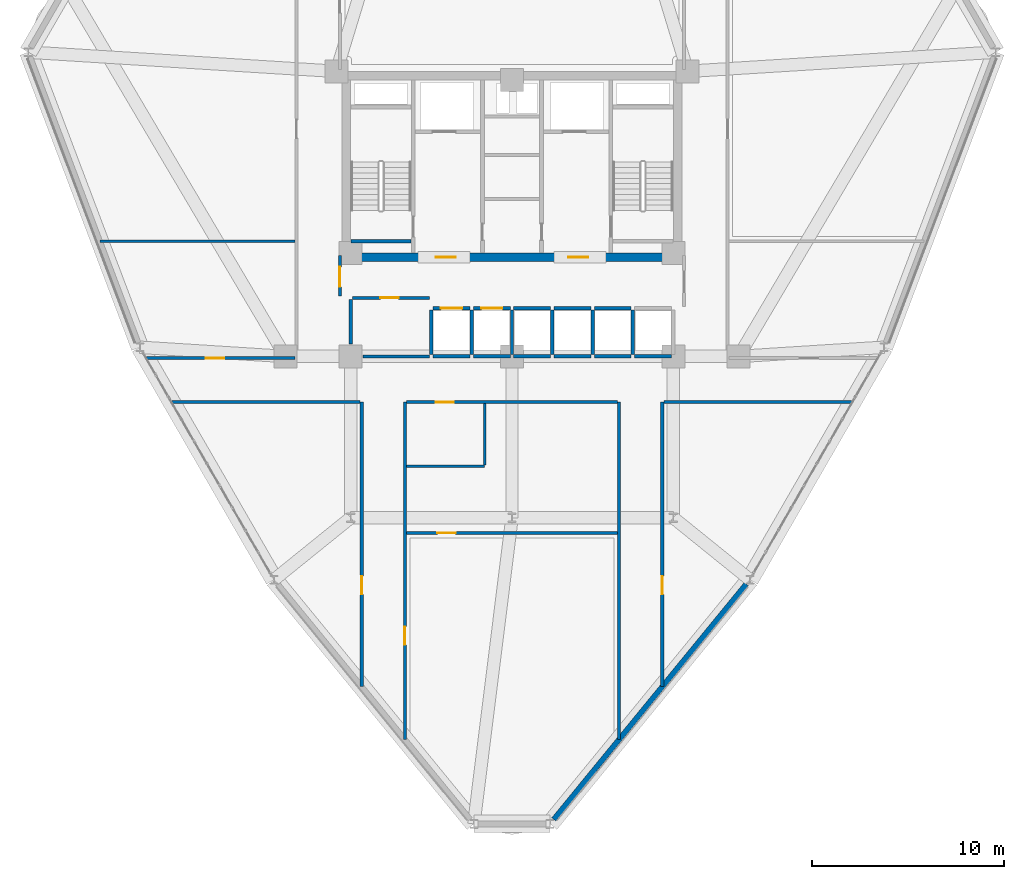
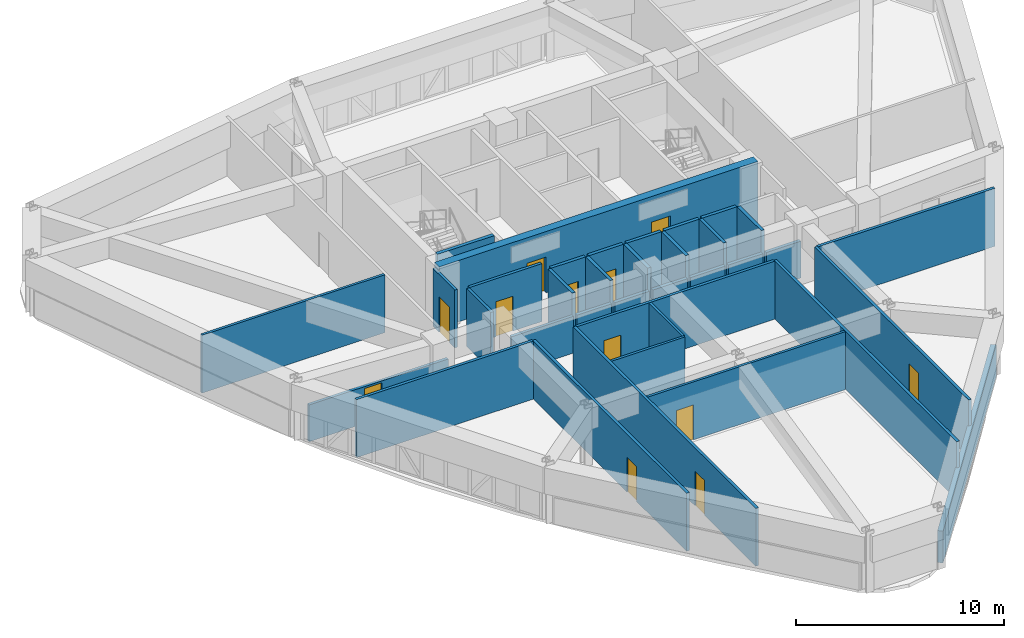
# One storey, part 10 of 15: 36 walls, 12 doors, 12 openings.
"""IFC4 building model written with IfcOpenShell, lengths in metres."""

from ifc_helpers import new_model, si_unit, derived_unit, direction, frame, frame_2d, origin, place, context, subcontext, project, spatial, rectangle, extrude, material, layer, layer_set, type_object, element, fill, save


model = new_model("IFC4")

# Units and contexts
model_context = context("Model", 3, precision=1e-05, world=origin(), true_north=direction((0.0, 1.0)))
body_context = subcontext(model_context, "Body", "Model", "MODEL_VIEW")
ifc_project = project(units=[si_unit("LENGTHUNIT", "METRE"), si_unit("AREAUNIT", "SQUARE_METRE"), si_unit("VOLUMEUNIT", "CUBIC_METRE"), si_unit("PLANEANGLEUNIT", "RADIAN"), si_unit("MASSUNIT", "GRAM", prefix="KILO"), derived_unit("THERMALTRANSMITTANCEUNIT", [(si_unit("POWERUNIT", "WATT"), 1), (si_unit("LENGTHUNIT", "METRE"), -2), (si_unit("THERMODYNAMICTEMPERATUREUNIT", "KELVIN"), -1)])], contexts=[model_context])

# Site, building, storey
site_placement = place(None, origin())
site = spatial("IfcSite", under=ifc_project, at=site_placement, CompositionType="ELEMENT")
building_placement = place(site_placement, origin())
building = spatial("IfcBuilding", under=site, at=building_placement, Name="Korsvarv Bourse and Concert Hall", CompositionType="ELEMENT")
storey_placement = place(building_placement, frame((0.0, 0.0, 113.39990234375)))
storey = spatial("IfcBuildingStorey", under=building, at=storey_placement, Name="L28", CompositionType="ELEMENT", Elevation=113.39990234375)

# Wall
ifc_material_1 = material(Name="Concrete C50/60", Category="concrete")
ifc_layer_1 = layer(ifc_material_1, 0.3798828125)
ifc_layer_set_1 = layer_set([ifc_layer_1], Name="Concrete C50/60")
wall_type_1 = type_object("IfcWallType", Name="WL-CORE-380", PredefinedType="SHEAR", material=ifc_layer_set_1)
wall_1_placement = place(storey_placement, frame((27.610107421875, 38.39990234375, 0.0), z_axis=(0.0, 0.0, 1.0), x_axis=(1.0, 0.0, 0.0)))
element("IfcWall", 1, at=wall_1_placement, inside=storey, type_object=wall_type_1, Name="L28 stair shaft structural wall W-L28-ST1-S", PredefinedType="SHEAR", context=body_context, shape_type="SweptSolid", body=[
    extrude(rectangle(XDim=3.139892578125, YDim=0.199951171875, at=frame_2d((1.56982421875, 0.0))), origin(), (0.0, 0.0, 1.0), 3.60009765625),
])

# Wall, openings, doors
ifc_material_2 = material(Name="Concrete C55/67", Category="concrete")
ifc_layer_2 = layer(ifc_material_2, 0.449951171875)
ifc_layer_set_2 = layer_set([ifc_layer_2], Name="Concrete C55/67")
wall_type_2 = type_object("IfcWallType", Name="WL-CORE-450", PredefinedType="SHEAR", material=ifc_layer_set_2)
wall_2_placement = place(storey_placement, frame((27.14990234375, 37.574951171875, 0.0), z_axis=(0.0, 0.0, 1.0), x_axis=(1.0, 0.0, 0.0)))
wall_2 = element("IfcWall", 2, at=wall_2_placement, inside=storey, type_object=wall_type_2, Name="L28 South Core Shear Wall", PredefinedType="SHEAR", context=body_context, shape_type="SweptSolid", body=[
    extrude(rectangle(XDim=17.7001953125, YDim=0.449951171875, at=frame_2d((8.85009765625, 0.0))), origin(), (0.0, 0.0, 1.0), 3.60009765625),
])
opening_1_placement = place(wall_2_placement, frame((4.875, 0.0, 0.0)))
opening_1 = element("IfcOpeningElement", 3, at=opening_1_placement, cuts=wall_2, Name="Opening D-01", PredefinedType="OPENING", context=body_context, shape_type="SweptSolid", body=[
    extrude(rectangle(XDim=1.050048828125, YDim=2.10009765625, at=frame_2d((0.52490234375, 1.050048828125))), frame((0.0, 0.23486328125, 0.0), z_axis=(0.0, -1.0, 0.0), x_axis=(1.0, 0.0, 0.0)), (0.0, 0.0, 1.0), 0.469970703125),
])
opening_2_placement = place(wall_2_placement, frame((11.77490234375, 0.0, 0.0)))
opening_2 = element("IfcOpeningElement", 4, at=opening_2_placement, cuts=wall_2, Name="Opening D-01", PredefinedType="OPENING", context=body_context, shape_type="SweptSolid", body=[
    extrude(rectangle(XDim=1.050048828125, YDim=2.10009765625, at=frame_2d((0.52490234375, 1.050048828125))), frame((0.0, 0.23486328125, 0.0), z_axis=(0.0, -1.0, 0.0), x_axis=(1.0, 0.0, 0.0)), (0.0, 0.0, 1.0), 0.469970703125),
])
ifc_material_3 = material(Name="Steel S355 fire door", Category="steel")
door_type_1 = type_object("IfcDoorType", Name="DR-FD60", OperationType="NOTDEFINED", PredefinedType="DOOR", material=ifc_material_3)
door_1_placement = place(opening_1_placement, frame((1.050048828125, 0.0, 0.0), z_axis=(0.0, 0.0, 1.0), x_axis=(-1.0, 0.0, 0.0)))
door_1 = element("IfcDoor", 5, at=door_1_placement, inside=storey, type_object=door_type_1, Name="L28 firefighting lobby fire door DR-L28-FFLW", OperationType="SINGLE_SWING_LEFT", OverallHeight=2.10009765625, OverallWidth=1.050048828125, PredefinedType="DOOR", context=body_context, shape_type="SweptSolid", body=[
    extrude(rectangle(XDim=1.050048828125, YDim=2.10009765625, at=frame_2d((0.52490234375, 1.050048828125))), frame((0.0, 0.02490234375, 0.0), z_axis=(0.0, -1.0, 0.0), x_axis=(1.0, 0.0, 0.0)), (0.0, 0.0, 1.0), 0.050048828125),
])
fill(opening_1, door_1)
door_2_placement = place(opening_2_placement, frame((1.050048828125, 0.0, 0.0), z_axis=(0.0, 0.0, 1.0), x_axis=(-1.0, 0.0, 0.0)))
door_2 = element("IfcDoor", 6, at=door_2_placement, inside=storey, type_object=door_type_1, Name="L28 firefighting lobby fire door DR-L28-FFLE", OperationType="SINGLE_SWING_RIGHT", OverallHeight=2.10009765625, OverallWidth=1.050048828125, PredefinedType="DOOR", context=body_context, shape_type="SweptSolid", body=[
    extrude(rectangle(XDim=1.050048828125, YDim=2.10009765625, at=frame_2d((0.52490234375, 1.050048828125))), frame((0.0, 0.02490234375, 0.0), z_axis=(0.0, -1.0, 0.0), x_axis=(1.0, 0.0, 0.0)), (0.0, 0.0, 1.0), 0.050048828125),
])
fill(opening_2, door_2)

# Walls
ifc_material_4 = material(Name="Precast concrete C45/55 with fluted terracotta pier", Category="concrete")
ifc_layer_3 = layer(ifc_material_4, 0.280029296875)
ifc_layer_set_3 = layer_set([ifc_layer_3], Name="Precast concrete C45/55 with fluted terracotta pier")
wall_type_3 = type_object("IfcWallType", Name="WL-EXT-TC2", PredefinedType="SOLIDWALL", material=ifc_layer_set_3)
wall_3_placement = place(storey_placement, frame((38.177490234375, 8.287353515625, 0.0), z_axis=(0.0, 0.0, 1.0), x_axis=(0.633140387555, 0.774036982092, 0.0)))
element("IfcWall", 7, at=wall_3_placement, inside=storey, type_object=wall_type_3, Name="L28 terracotta exterior wall EW-L28-B10", PredefinedType="SOLIDWALL", context=body_context, shape_type="SweptSolid", body=[
    extrude(rectangle(XDim=15.833984375, YDim=0.280029296875, at=frame_2d((7.9169921875, 0.0))), origin(), (0.0, 0.0, 1.0), 1.8701171875),
])
ifc_material_5 = material(Name="Double-stud fire-rated acoustic partition", Category="gypsum")
ifc_layer_4 = layer(ifc_material_5, 0.159912109375)
ifc_layer_set_4 = layer_set([ifc_layer_4], Name="Double-stud fire-rated acoustic partition")
wall_type_4 = type_object("IfcWallType", Name="WL-INT-EI60", PredefinedType="PARTITIONING", material=ifc_layer_set_4)
wall_4_placement = place(storey_placement, frame((28.25, 32.39990234375, 0.0), z_axis=(0.0, 0.0, 1.0), x_axis=(1.0, 0.0, 0.0)))
element("IfcWall", 8, at=wall_4_placement, inside=storey, type_object=wall_type_4, Name="L28 interior partition wall W-L28-FRD-S", PredefinedType="PARTITIONING", context=body_context, shape_type="SweptSolid", body=[
    extrude(rectangle(XDim=3.449951171875, YDim=0.159912109375, at=frame_2d((1.72509765625, 0.0))), origin(), (0.0, 0.0, 1.0), 2.16015625),
])
wall_5_placement = place(storey_placement, frame((27.60009765625, 33.050048828125, 0.0), z_axis=(0.0, 0.0, 1.0), x_axis=(0.0, 1.0, 0.0)))
element("IfcWall", 9, at=wall_5_placement, inside=storey, type_object=wall_type_4, Name="L28 interior partition wall W-L28-FRD-W", PredefinedType="PARTITIONING", context=body_context, shape_type="SweptSolid", body=[
    extrude(rectangle(XDim=2.31005859375, YDim=0.159912109375, at=frame_2d((1.155029296875, 0.0))), origin(), (0.0, 0.0, 1.0), 3.400146484375),
])

# Wall, opening, door
wall_6_placement = place(storey_placement, frame((27.68994140625, 35.449951171875, 0.0), z_axis=(0.0, 0.0, 1.0), x_axis=(1.0, 0.0, 0.0)))
wall_6 = element("IfcWall", 10, at=wall_6_placement, inside=storey, type_object=wall_type_4, Name="L28 interior partition wall W-L28-FRD-N", PredefinedType="PARTITIONING", context=body_context, shape_type="SweptSolid", body=[
    extrude(rectangle(XDim=4.010009765625, YDim=0.159912109375, at=frame_2d((2.0048828125, 0.0))), origin(), (0.0, 0.0, 1.0), 3.400146484375),
])
opening_3_placement = place(wall_6_placement, frame((1.449951171875, 0.0, 0.0)))
opening_3 = element("IfcOpeningElement", 11, at=opening_3_placement, cuts=wall_6, Name="Opening D-03", PredefinedType="OPENING", context=body_context, shape_type="SweptSolid", body=[
    extrude(rectangle(XDim=0.949951171875, YDim=2.050048828125, at=frame_2d((0.47509765625, 1.02490234375))), frame((0.0, 0.08984375, 0.0), z_axis=(0.0, -1.0, 0.0), x_axis=(1.0, 0.0, 0.0)), (0.0, 0.0, 1.0), 0.179931640625),
])
ifc_material_6 = material(Name="Nordic oak acoustic office door", Category="wood")
door_type_2 = type_object("IfcDoorType", Name="DR-INT-1", OperationType="NOTDEFINED", PredefinedType="DOOR", material=ifc_material_6)
door_3_placement = place(opening_3_placement, origin())
door_3 = element("IfcDoor", 12, at=door_3_placement, inside=storey, type_object=door_type_2, Name="L28 interior door DR-L28-FRDN1", OperationType="SINGLE_SWING_RIGHT", OverallHeight=2.050048828125, OverallWidth=0.949951171875, PredefinedType="DOOR", context=body_context, shape_type="SweptSolid", body=[
    extrude(rectangle(XDim=0.949951171875, YDim=2.050048828125, at=frame_2d((0.47509765625, 1.02490234375))), frame((0.0, 0.02490234375, 0.0), z_axis=(0.0, -1.0, 0.0), x_axis=(1.0, 0.0, 0.0)), (0.0, 0.0, 1.0), 0.050048828125),
])
fill(opening_3, door_3)

wall_7_placement = place(storey_placement, frame((27.0400390625, 35.5400390625, 0.0), z_axis=(0.0, 0.0, 1.0), x_axis=(0.0, 1.0, 0.0)))
wall_7 = element("IfcWall", 13, at=wall_7_placement, inside=storey, type_object=wall_type_4, Name="L28 interior partition wall W-L28-LOB-WL", PredefinedType="PARTITIONING", context=body_context, shape_type="SweptSolid", body=[
    extrude(rectangle(XDim=2.10986328125, YDim=0.159912109375, at=frame_2d((1.054931640625, 0.0))), origin(), (0.0, 0.0, 1.0), 3.400146484375),
])
opening_4_placement = place(wall_7_placement, frame((0.47998046875, 0.0, 0.0)))
opening_4 = element("IfcOpeningElement", 14, at=opening_4_placement, cuts=wall_7, Name="Opening D-01", PredefinedType="OPENING", context=body_context, shape_type="SweptSolid", body=[
    extrude(rectangle(XDim=1.050048828125, YDim=2.10009765625, at=frame_2d((0.52490234375, 1.050048828125))), frame((0.0, 0.08984375, 0.0), z_axis=(0.0, -1.0, 0.0), x_axis=(1.0, 0.0, 0.0)), (0.0, 0.0, 1.0), 0.179931640625),
])
door_4_placement = place(opening_4_placement, frame((1.050048828125, 0.0, 0.0), z_axis=(0.0, 0.0, 1.0), x_axis=(-1.0, 0.0, 0.0)))
door_4 = element("IfcDoor", 15, at=door_4_placement, inside=storey, type_object=door_type_1, Name="L28 interior door DR-L28-LOBW", OperationType="SINGLE_SWING_LEFT", OverallHeight=2.10009765625, OverallWidth=1.050048828125, PredefinedType="DOOR", context=body_context, shape_type="SweptSolid", body=[
    extrude(rectangle(XDim=1.050048828125, YDim=2.10009765625, at=frame_2d((0.52490234375, 1.050048828125))), frame((0.0, 0.02490234375, 0.0), z_axis=(0.0, -1.0, 0.0), x_axis=(1.0, 0.0, 0.0)), (0.0, 0.0, 1.0), 0.050048828125),
])
fill(opening_4, door_4)

wall_8_placement = place(storey_placement, frame((30.425048828125, 12.4609375, 0.0), z_axis=(0.0, 0.0, 1.0), x_axis=(0.0, 1.0, 0.0)))
wall_8 = element("IfcWall", 16, at=wall_8_placement, inside=storey, type_object=wall_type_4, Name="L28 interior partition wall W-L28-TCOR-03", PredefinedType="PARTITIONING", context=body_context, shape_type="SweptSolid", body=[
    extrude(rectangle(XDim=17.569091796875, YDim=0.159912109375, at=frame_2d((8.78466796875, 0.0))), origin(), (0.0, 0.0, 1.0), 3.400146484375),
])
opening_5_placement = place(wall_8_placement, frame((4.915771484375, 0.0, 0.0)))
opening_5 = element("IfcOpeningElement", 17, at=opening_5_placement, cuts=wall_8, Name="Opening D-02", PredefinedType="OPENING", context=body_context, shape_type="SweptSolid", body=[
    extrude(rectangle(XDim=0.949951171875, YDim=2.050048828125, at=frame_2d((0.47509765625, 1.02490234375))), frame((0.0, 0.08984375, 0.0), z_axis=(0.0, -1.0, 0.0), x_axis=(1.0, 0.0, 0.0)), (0.0, 0.0, 1.0), 0.179931640625),
])
ifc_material_7 = material(Name="Timber and steel acoustic fire door", Category="wood")
door_type_3 = type_object("IfcDoorType", Name="DR-FD30", OperationType="NOTDEFINED", PredefinedType="DOOR", material=ifc_material_7)
door_5_placement = place(opening_5_placement, origin())
door_5 = element("IfcDoor", 18, at=door_5_placement, inside=storey, type_object=door_type_3, Name="L28 interior door DR-L28-TCOR-CL25", OperationType="SINGLE_SWING_LEFT", OverallHeight=2.050048828125, OverallWidth=0.949951171875, PredefinedType="DOOR", context=body_context, shape_type="SweptSolid", body=[
    extrude(rectangle(XDim=0.949951171875, YDim=2.050048828125, at=frame_2d((0.47509765625, 1.02490234375))), frame((0.0, 0.02490234375, 0.0), z_axis=(0.0, -1.0, 0.0), x_axis=(1.0, 0.0, 0.0)), (0.0, 0.0, 1.0), 0.050048828125),
])
fill(opening_5, door_5)

# Wall
wall_9_placement = place(storey_placement, frame((41.574951171875, 12.4609375, 0.0), z_axis=(0.0, 0.0, 1.0), x_axis=(0.0, 1.0, 0.0)))
element("IfcWall", 19, at=wall_9_placement, inside=storey, type_object=wall_type_4, Name="L28 interior partition wall W-L28-TCOR-04", PredefinedType="PARTITIONING", context=body_context, shape_type="SweptSolid", body=[
    extrude(rectangle(XDim=17.569091796875, YDim=0.159912109375, at=frame_2d((8.78466796875, 0.0))), origin(), (0.0, 0.0, 1.0), 3.400146484375),
])

# Wall, opening, door
wall_10_placement = place(storey_placement, frame((28.175048828125, 15.211669921875, 0.0), z_axis=(0.0, 0.0, 1.0), x_axis=(0.0, 1.0, 0.0)))
wall_10 = element("IfcWall", 20, at=wall_10_placement, inside=storey, type_object=wall_type_4, Name="L28 interior partition wall W-L28-TCOR-05", PredefinedType="PARTITIONING", context=body_context, shape_type="SweptSolid", body=[
    extrude(rectangle(XDim=14.818359375, YDim=0.159912109375, at=frame_2d((7.4091796875, 0.0))), origin(), (0.0, 0.0, 1.0), 3.400146484375),
])
opening_6_placement = place(wall_10_placement, frame((4.800537109375, 0.0, 0.0)))
opening_6 = element("IfcOpeningElement", 21, at=opening_6_placement, cuts=wall_10, Name="Opening D-02", PredefinedType="OPENING", context=body_context, shape_type="SweptSolid", body=[
    extrude(rectangle(XDim=0.949951171875, YDim=2.050048828125, at=frame_2d((0.47509765625, 1.02490234375))), frame((0.0, 0.08984375, 0.0), z_axis=(0.0, -1.0, 0.0), x_axis=(1.0, 0.0, 0.0)), (0.0, 0.0, 1.0), 0.179931640625),
])
door_6_placement = place(opening_6_placement, origin())
door_6 = element("IfcDoor", 22, at=door_6_placement, inside=storey, type_object=door_type_3, Name="L28 interior door DR-L28-TCOR-GYM7", OperationType="SINGLE_SWING_RIGHT", OverallHeight=2.050048828125, OverallWidth=0.949951171875, PredefinedType="DOOR", context=body_context, shape_type="SweptSolid", body=[
    extrude(rectangle(XDim=0.949951171875, YDim=2.050048828125, at=frame_2d((0.47509765625, 1.02490234375))), frame((0.0, 0.02490234375, 0.0), z_axis=(0.0, -1.0, 0.0), x_axis=(1.0, 0.0, 0.0)), (0.0, 0.0, 1.0), 0.050048828125),
])
fill(opening_6, door_6)

wall_11_placement = place(storey_placement, frame((43.824951171875, 15.211669921875, 0.0), z_axis=(0.0, 0.0, 1.0), x_axis=(0.0, 1.0, 0.0)))
wall_11 = element("IfcWall", 23, at=wall_11_placement, inside=storey, type_object=wall_type_4, Name="L28 interior partition wall W-L28-TCOR-06", PredefinedType="PARTITIONING", context=body_context, shape_type="SweptSolid", body=[
    extrude(rectangle(XDim=14.818359375, YDim=0.159912109375, at=frame_2d((7.4091796875, 0.0))), origin(), (0.0, 0.0, 1.0), 3.400146484375),
])
opening_7_placement = place(wall_11_placement, frame((4.800537109375, 0.0, 0.0)))
opening_7 = element("IfcOpeningElement", 24, at=opening_7_placement, cuts=wall_11, Name="Opening D-02", PredefinedType="OPENING", context=body_context, shape_type="SweptSolid", body=[
    extrude(rectangle(XDim=0.949951171875, YDim=2.050048828125, at=frame_2d((0.47509765625, 1.02490234375))), frame((0.0, 0.08984375, 0.0), z_axis=(0.0, -1.0, 0.0), x_axis=(1.0, 0.0, 0.0)), (0.0, 0.0, 1.0), 0.179931640625),
])
door_7_placement = place(opening_7_placement, origin())
door_7 = element("IfcDoor", 25, at=door_7_placement, inside=storey, type_object=door_type_3, Name="L28 interior door DR-L28-TCOR-SPA3", OperationType="SINGLE_SWING_LEFT", OverallHeight=2.050048828125, OverallWidth=0.949951171875, PredefinedType="DOOR", context=body_context, shape_type="SweptSolid", body=[
    extrude(rectangle(XDim=0.949951171875, YDim=2.050048828125, at=frame_2d((0.47509765625, 1.02490234375))), frame((0.0, 0.02490234375, 0.0), z_axis=(0.0, -1.0, 0.0), x_axis=(1.0, 0.0, 0.0)), (0.0, 0.0, 1.0), 0.050048828125),
])
fill(opening_7, door_7)

wall_12_placement = place(storey_placement, frame((30.507080078125, 30.02490234375, 0.0), z_axis=(0.0, 0.0, 1.0), x_axis=(1.0, 0.0, 0.0)))
wall_12 = element("IfcWall", 26, at=wall_12_placement, inside=storey, type_object=wall_type_4, Name="L28 interior partition wall W-L28-TCOR-07", PredefinedType="PARTITIONING", context=body_context, shape_type="SweptSolid", body=[
    extrude(rectangle(XDim=10.98583984375, YDim=0.159912109375, at=frame_2d((5.492919921875, 0.0))), origin(), (0.0, 0.0, 1.0), 3.400146484375),
])
opening_8_placement = place(wall_12_placement, frame((1.51220703125, 0.0, 0.0)))
opening_8 = element("IfcOpeningElement", 27, at=opening_8_placement, cuts=wall_12, Name="Opening D-02", PredefinedType="OPENING", context=body_context, shape_type="SweptSolid", body=[
    extrude(rectangle(XDim=0.949951171875, YDim=2.050048828125, at=frame_2d((0.47509765625, 1.02490234375))), frame((0.0, 0.08984375, 0.0), z_axis=(0.0, -1.0, 0.0), x_axis=(1.0, 0.0, 0.0)), (0.0, 0.0, 1.0), 0.179931640625),
])
door_8_placement = place(opening_8_placement, origin())
door_8 = element("IfcDoor", 28, at=door_8_placement, inside=storey, type_object=door_type_3, Name="L28 interior door DR-L28-TCOR-RWC", OperationType="SINGLE_SWING_RIGHT", OverallHeight=2.050048828125, OverallWidth=0.949951171875, PredefinedType="DOOR", context=body_context, shape_type="SweptSolid", body=[
    extrude(rectangle(XDim=0.949951171875, YDim=2.050048828125, at=frame_2d((0.47509765625, 1.02490234375))), frame((0.0, 0.02490234375, 0.0), z_axis=(0.0, -1.0, 0.0), x_axis=(1.0, 0.0, 0.0)), (0.0, 0.0, 1.0), 0.050048828125),
])
fill(opening_8, door_8)

# Walls
for number, where, z_axis, x_axis, name in (
    (29, (18.287109375, 30.02490234375, 0.0), (0.0, 0.0, 1.0), (1.0, 0.0, 0.0), "L28 interior partition wall W-L28-TCOR-08"),
    (30, (43.906982421875, 30.02490234375, 0.0), (0.0, 0.0, 1.0), (1.0, 0.0, 0.0), "L28 interior partition wall W-L28-TCOR-09"),
):
    element("IfcWall", number, at=place(storey_placement, frame(where, z_axis=z_axis, x_axis=x_axis)), inside=storey, type_object=wall_type_4, Name=name, PredefinedType="PARTITIONING", context=body_context, shape_type="SweptSolid", body=[
        extrude(rectangle(XDim=9.805908203125, YDim=0.159912109375, at=frame_2d((4.90283203125, 0.0))), origin(), (0.0, 0.0, 1.0), 3.400146484375),
    ])

# Wall, opening, door
wall_13_placement = place(storey_placement, frame((16.965087890625, 32.31494140625, 0.0), z_axis=(0.0, 0.0, 1.0), x_axis=(1.0, 0.0, 0.0)))
wall_13 = element("IfcWall", 31, at=wall_13_placement, inside=storey, type_object=wall_type_4, Name="L28 interior partition wall W-L28-TCOR-10", PredefinedType="PARTITIONING", context=body_context, shape_type="SweptSolid", body=[
    extrude(rectangle(XDim=7.72802734375, YDim=0.159912109375, at=frame_2d((3.864013671875, 0.0))), origin(), (0.0, 0.0, 1.0), 2.16015625),
])
opening_9_placement = place(wall_13_placement, frame((3.0869140625, 0.0, 0.0)))
opening_9 = element("IfcOpeningElement", 32, at=opening_9_placement, cuts=wall_13, Name="Opening D-02", PredefinedType="OPENING", context=body_context, shape_type="SweptSolid", body=[
    extrude(rectangle(XDim=0.949951171875, YDim=2.050048828125, at=frame_2d((0.47509765625, 1.02490234375))), frame((0.0, 0.08984375, 0.0), z_axis=(0.0, -1.0, 0.0), x_axis=(1.0, 0.0, 0.0)), (0.0, 0.0, 1.0), 0.179931640625),
])
door_9_placement = place(opening_9_placement, origin())
door_9 = element("IfcDoor", 33, at=door_9_placement, inside=storey, type_object=door_type_3, Name="L28 interior door DR-L28-TCOR-YOG8", OperationType="SINGLE_SWING_LEFT", OverallHeight=2.050048828125, OverallWidth=0.949951171875, PredefinedType="DOOR", context=body_context, shape_type="SweptSolid", body=[
    extrude(rectangle(XDim=0.949951171875, YDim=2.050048828125, at=frame_2d((0.47509765625, 1.02490234375))), frame((0.0, 0.02490234375, 0.0), z_axis=(0.0, -1.0, 0.0), x_axis=(1.0, 0.0, 0.0)), (0.0, 0.0, 1.0), 0.050048828125),
])
fill(opening_9, door_9)

ifc_material_8 = material(Name="Gypsum-clad autoclaved concrete shaft wall C30/37", Category="concrete")
ifc_layer_5 = layer(ifc_material_8, 0.179931640625)
ifc_layer_set_5 = layer_set([ifc_layer_5], Name="Gypsum-clad autoclaved concrete shaft wall C30/37")
wall_type_5 = type_object("IfcWallType", Name="WL-INT-EI90", PredefinedType="PARTITIONING", material=ifc_layer_set_5)
wall_14_placement = place(storey_placement, frame((31.889892578125, 34.89990234375, 0.0), z_axis=(0.0, 0.0, 1.0), x_axis=(1.0, 0.0, 0.0)))
wall_14 = element("IfcWall", 34, at=wall_14_placement, inside=storey, type_object=wall_type_5, Name="L28 interior partition wall W-L28-SHFN-PM1", PredefinedType="PARTITIONING", context=body_context, shape_type="SweptSolid", body=[
    extrude(rectangle(XDim=1.920166015625, YDim=0.179931640625, at=frame_2d((0.9599609375, 0.0))), origin(), (0.0, 0.0, 1.0), 3.400146484375),
])
opening_10_placement = place(wall_14_placement, frame((0.409912109375, 0.0, 0.0)))
opening_10 = element("IfcOpeningElement", 35, at=opening_10_placement, cuts=wall_14, Name="Opening LD-2", PredefinedType="OPENING", context=body_context, shape_type="SweptSolid", body=[
    extrude(rectangle(XDim=1.10009765625, YDim=2.10009765625, at=frame_2d((0.550048828125, 1.050048828125))), frame((0.0, 0.10009765625, 0.0), z_axis=(0.0, -1.0, 0.0), x_axis=(1.0, 0.0, 0.0)), (0.0, 0.0, 1.0), 0.199951171875),
])
ifc_material_9 = material(Name="Brushed stainless Steel S355 lift landing door", Category="steel")
door_type_4 = type_object("IfcDoorType", Name="DR-LIFT-P", OperationType="DOUBLE_DOOR_SLIDING", PredefinedType="DOOR", material=ifc_material_9)
door_10_placement = place(opening_10_placement, origin())
door_10 = element("IfcDoor", 36, at=door_10_placement, inside=storey, type_object=door_type_4, Name="L28 lift sliding landing door LD-L28-PM1", OperationType="DOUBLE_DOOR_SLIDING", OverallHeight=2.10009765625, OverallWidth=1.10009765625, PredefinedType="DOOR", context=body_context, shape_type="SweptSolid", body=[
    extrude(rectangle(XDim=1.10009765625, YDim=2.10009765625, at=frame_2d((0.550048828125, 1.050048828125))), frame((0.0, 0.02490234375, 0.0), z_axis=(0.0, -1.0, 0.0), x_axis=(1.0, 0.0, 0.0)), (0.0, 0.0, 1.0), 0.050048828125),
])
fill(opening_10, door_10)

# Walls
wall_15_placement = place(storey_placement, frame((31.889892578125, 32.39990234375, 0.0), z_axis=(0.0, 0.0, 1.0), x_axis=(1.0, 0.0, 0.0)))
element("IfcWall", 37, at=wall_15_placement, inside=storey, type_object=wall_type_5, Name="L28 interior partition wall W-L28-SHFS-PM1", PredefinedType="PARTITIONING", context=body_context, shape_type="SweptSolid", body=[
    extrude(rectangle(XDim=1.920166015625, YDim=0.179931640625, at=frame_2d((0.9599609375, 0.0))), origin(), (0.0, 0.0, 1.0), 2.16015625),
])
wall_16_placement = place(storey_placement, frame((31.800048828125, 32.489990234375, 0.0), z_axis=(0.0, 0.0, 1.0), x_axis=(0.0, 1.0, 0.0)))
element("IfcWall", 38, at=wall_16_placement, inside=storey, type_object=wall_type_5, Name="L28 interior partition wall W-L28-SHFW-PM1", PredefinedType="PARTITIONING", context=body_context, shape_type="SweptSolid", body=[
    extrude(rectangle(XDim=2.320068359375, YDim=0.179931640625, at=frame_2d((1.16015625, 0.0))), origin(), (0.0, 0.0, 1.0), 3.400146484375),
])

# Wall, opening, door
wall_17_placement = place(storey_placement, frame((33.989990234375, 34.89990234375, 0.0), z_axis=(0.0, 0.0, 1.0), x_axis=(1.0, 0.0, 0.0)))
wall_17 = element("IfcWall", 39, at=wall_17_placement, inside=storey, type_object=wall_type_5, Name="L28 interior partition wall W-L28-SHFN-PM2", PredefinedType="PARTITIONING", context=body_context, shape_type="SweptSolid", body=[
    extrude(rectangle(XDim=1.919921875, YDim=0.179931640625, at=frame_2d((0.9599609375, 0.0))), origin(), (0.0, 0.0, 1.0), 3.400146484375),
])
opening_11_placement = place(wall_17_placement, frame((0.409912109375, 0.0, 0.0)))
opening_11 = element("IfcOpeningElement", 40, at=opening_11_placement, cuts=wall_17, Name="Opening LD-2", PredefinedType="OPENING", context=body_context, shape_type="SweptSolid", body=[
    extrude(rectangle(XDim=1.10009765625, YDim=2.10009765625, at=frame_2d((0.550048828125, 1.050048828125))), frame((0.0, 0.10009765625, 0.0), z_axis=(0.0, -1.0, 0.0), x_axis=(1.0, 0.0, 0.0)), (0.0, 0.0, 1.0), 0.199951171875),
])
door_11_placement = place(opening_11_placement, origin())
door_11 = element("IfcDoor", 41, at=door_11_placement, inside=storey, type_object=door_type_4, Name="L28 lift sliding landing door LD-L28-PM2", OperationType="DOUBLE_DOOR_SLIDING", OverallHeight=2.10009765625, OverallWidth=1.10009765625, PredefinedType="DOOR", context=body_context, shape_type="SweptSolid", body=[
    extrude(rectangle(XDim=1.10009765625, YDim=2.10009765625, at=frame_2d((0.550048828125, 1.050048828125))), frame((0.0, 0.02490234375, 0.0), z_axis=(0.0, -1.0, 0.0), x_axis=(1.0, 0.0, 0.0)), (0.0, 0.0, 1.0), 0.050048828125),
])
fill(opening_11, door_11)

# Walls
wall_18_placement = place(storey_placement, frame((33.989990234375, 32.39990234375, 0.0), z_axis=(0.0, 0.0, 1.0), x_axis=(1.0, 0.0, 0.0)))
element("IfcWall", 42, at=wall_18_placement, inside=storey, type_object=wall_type_5, Name="L28 interior partition wall W-L28-SHFS-PM2", PredefinedType="PARTITIONING", context=body_context, shape_type="SweptSolid", body=[
    extrude(rectangle(XDim=1.919921875, YDim=0.179931640625, at=frame_2d((0.9599609375, 0.0))), origin(), (0.0, 0.0, 1.0), 2.16015625),
])
wall_19_placement = place(storey_placement, frame((33.89990234375, 32.489990234375, 0.0), z_axis=(0.0, 0.0, 1.0), x_axis=(0.0, 1.0, 0.0)))
element("IfcWall", 43, at=wall_19_placement, inside=storey, type_object=wall_type_5, Name="L28 interior partition wall W-L28-SHFW-PM2", PredefinedType="PARTITIONING", context=body_context, shape_type="SweptSolid", body=[
    extrude(rectangle(XDim=2.320068359375, YDim=0.179931640625, at=frame_2d((1.16015625, 0.0))), origin(), (0.0, 0.0, 1.0), 3.400146484375),
])
wall_20_placement = place(storey_placement, frame((36.090087890625, 34.89990234375, 0.0), z_axis=(0.0, 0.0, 1.0), x_axis=(1.0, 0.0, 0.0)))
element("IfcWall", 44, at=wall_20_placement, inside=storey, type_object=wall_type_5, Name="L28 interior partition wall W-L28-SHFN-PH1", PredefinedType="PARTITIONING", context=body_context, shape_type="SweptSolid", body=[
    extrude(rectangle(XDim=1.919921875, YDim=0.179931640625, at=frame_2d((0.9599609375, 0.0))), origin(), (0.0, 0.0, 1.0), 3.400146484375),
])
wall_21_placement = place(storey_placement, frame((36.090087890625, 32.39990234375, 0.0), z_axis=(0.0, 0.0, 1.0), x_axis=(1.0, 0.0, 0.0)))
element("IfcWall", 45, at=wall_21_placement, inside=storey, type_object=wall_type_5, Name="L28 interior partition wall W-L28-SHFS-PH1", PredefinedType="PARTITIONING", context=body_context, shape_type="SweptSolid", body=[
    extrude(rectangle(XDim=1.919921875, YDim=0.179931640625, at=frame_2d((0.9599609375, 0.0))), origin(), (0.0, 0.0, 1.0), 2.16015625),
])
wall_22_placement = place(storey_placement, frame((36.0, 32.489990234375, 0.0), z_axis=(0.0, 0.0, 1.0), x_axis=(0.0, 1.0, 0.0)))
element("IfcWall", 46, at=wall_22_placement, inside=storey, type_object=wall_type_5, Name="L28 interior partition wall W-L28-SHFW-PH1", PredefinedType="PARTITIONING", context=body_context, shape_type="SweptSolid", body=[
    extrude(rectangle(XDim=2.320068359375, YDim=0.179931640625, at=frame_2d((1.16015625, 0.0))), origin(), (0.0, 0.0, 1.0), 3.400146484375),
])
wall_23_placement = place(storey_placement, frame((38.18994140625, 34.89990234375, 0.0), z_axis=(0.0, 0.0, 1.0), x_axis=(1.0, 0.0, 0.0)))
element("IfcWall", 47, at=wall_23_placement, inside=storey, type_object=wall_type_5, Name="L28 interior partition wall W-L28-SHFN-PH2", PredefinedType="PARTITIONING", context=body_context, shape_type="SweptSolid", body=[
    extrude(rectangle(XDim=1.920166015625, YDim=0.179931640625, at=frame_2d((0.9599609375, 0.0))), origin(), (0.0, 0.0, 1.0), 3.400146484375),
])
wall_24_placement = place(storey_placement, frame((38.18994140625, 32.39990234375, 0.0), z_axis=(0.0, 0.0, 1.0), x_axis=(1.0, 0.0, 0.0)))
element("IfcWall", 48, at=wall_24_placement, inside=storey, type_object=wall_type_5, Name="L28 interior partition wall W-L28-SHFS-PH2", PredefinedType="PARTITIONING", context=body_context, shape_type="SweptSolid", body=[
    extrude(rectangle(XDim=1.920166015625, YDim=0.179931640625, at=frame_2d((0.9599609375, 0.0))), origin(), (0.0, 0.0, 1.0), 2.16015625),
])
wall_25_placement = place(storey_placement, frame((38.10009765625, 32.489990234375, 0.0), z_axis=(0.0, 0.0, 1.0), x_axis=(0.0, 1.0, 0.0)))
element("IfcWall", 49, at=wall_25_placement, inside=storey, type_object=wall_type_5, Name="L28 interior partition wall W-L28-SHFW-PH2", PredefinedType="PARTITIONING", context=body_context, shape_type="SweptSolid", body=[
    extrude(rectangle(XDim=2.320068359375, YDim=0.179931640625, at=frame_2d((1.16015625, 0.0))), origin(), (0.0, 0.0, 1.0), 3.400146484375),
])
wall_26_placement = place(storey_placement, frame((40.2900390625, 34.89990234375, 0.0), z_axis=(0.0, 0.0, 1.0), x_axis=(1.0, 0.0, 0.0)))
element("IfcWall", 50, at=wall_26_placement, inside=storey, type_object=wall_type_5, Name="L28 interior partition wall W-L28-SHFN-PO1", PredefinedType="PARTITIONING", context=body_context, shape_type="SweptSolid", body=[
    extrude(rectangle(XDim=1.919921875, YDim=0.179931640625, at=frame_2d((0.9599609375, 0.0))), origin(), (0.0, 0.0, 1.0), 3.400146484375),
])
wall_27_placement = place(storey_placement, frame((40.2900390625, 32.39990234375, 0.0), z_axis=(0.0, 0.0, 1.0), x_axis=(1.0, 0.0, 0.0)))
element("IfcWall", 51, at=wall_27_placement, inside=storey, type_object=wall_type_5, Name="L28 interior partition wall W-L28-SHFS-PO1", PredefinedType="PARTITIONING", context=body_context, shape_type="SweptSolid", body=[
    extrude(rectangle(XDim=1.919921875, YDim=0.179931640625, at=frame_2d((0.9599609375, 0.0))), origin(), (0.0, 0.0, 1.0), 2.16015625),
])
wall_28_placement = place(storey_placement, frame((40.199951171875, 32.489990234375, 0.0), z_axis=(0.0, 0.0, 1.0), x_axis=(0.0, 1.0, 0.0)))
element("IfcWall", 52, at=wall_28_placement, inside=storey, type_object=wall_type_5, Name="L28 interior partition wall W-L28-SHFW-PO1", PredefinedType="PARTITIONING", context=body_context, shape_type="SweptSolid", body=[
    extrude(rectangle(XDim=2.320068359375, YDim=0.179931640625, at=frame_2d((1.16015625, 0.0))), origin(), (0.0, 0.0, 1.0), 3.400146484375),
])
wall_29_placement = place(storey_placement, frame((42.389892578125, 32.39990234375, 0.0), z_axis=(0.0, 0.0, 1.0), x_axis=(1.0, 0.0, 0.0)))
element("IfcWall", 53, at=wall_29_placement, inside=storey, type_object=wall_type_5, Name="L28 interior partition wall W-L28-SHFS-PO2", PredefinedType="PARTITIONING", context=body_context, shape_type="SweptSolid", body=[
    extrude(rectangle(XDim=1.920166015625, YDim=0.179931640625, at=frame_2d((0.9599609375, 0.0))), origin(), (0.0, 0.0, 1.0), 2.16015625),
])
wall_30_placement = place(storey_placement, frame((42.300048828125, 32.489990234375, 0.0), z_axis=(0.0, 0.0, 1.0), x_axis=(0.0, 1.0, 0.0)))
element("IfcWall", 54, at=wall_30_placement, inside=storey, type_object=wall_type_5, Name="L28 interior partition wall W-L28-SHFW-PO2", PredefinedType="PARTITIONING", context=body_context, shape_type="SweptSolid", body=[
    extrude(rectangle(XDim=2.320068359375, YDim=0.179931640625, at=frame_2d((1.16015625, 0.0))), origin(), (0.0, 0.0, 1.0), 3.400146484375),
])

# Wall, opening, door
ifc_material_10 = material(Name="Insulated steel-stud office acoustic partition", Category="gypsum")
ifc_layer_6 = layer(ifc_material_10, 0.139892578125)
ifc_layer_set_6 = layer_set([ifc_layer_6], Name="Insulated steel-stud office acoustic partition")
wall_type_6 = type_object("IfcWallType", Name="WL-INT-P1", PredefinedType="PARTITIONING", material=ifc_layer_set_6)
wall_31_placement = place(storey_placement, frame((30.507080078125, 23.205078125, 0.0), z_axis=(0.0, 0.0, 1.0), x_axis=(1.0, 0.0, 0.0)))
wall_31 = element("IfcWall", 55, at=wall_31_placement, inside=storey, type_object=wall_type_6, Name="L28 interior partition wall W-L28-TCOR-14", PredefinedType="PARTITIONING", context=body_context, shape_type="SweptSolid", body=[
    extrude(rectangle(XDim=10.98583984375, YDim=0.139892578125, at=frame_2d((5.492919921875, 0.0))), origin(), (0.0, 0.0, 1.0), 3.400146484375),
])
opening_12_placement = place(wall_31_placement, frame((1.601318359375, 0.0, 0.0)))
opening_12 = element("IfcOpeningElement", 56, at=opening_12_placement, cuts=wall_31, Name="Opening D-03", PredefinedType="OPENING", context=body_context, shape_type="SweptSolid", body=[
    extrude(rectangle(XDim=0.949951171875, YDim=2.050048828125, at=frame_2d((0.47509765625, 1.02490234375))), frame((0.0, 0.080078125, 0.0), z_axis=(0.0, -1.0, 0.0), x_axis=(1.0, 0.0, 0.0)), (0.0, 0.0, 1.0), 0.159912109375),
])
door_12_placement = place(opening_12_placement, origin())
door_12 = element("IfcDoor", 57, at=door_12_placement, inside=storey, type_object=door_type_2, Name="L28 interior door DR-L28-TCOR-CL16", OperationType="SINGLE_SWING_RIGHT", OverallHeight=2.050048828125, OverallWidth=0.949951171875, PredefinedType="DOOR", context=body_context, shape_type="SweptSolid", body=[
    extrude(rectangle(XDim=0.949951171875, YDim=2.050048828125, at=frame_2d((0.47509765625, 1.02490234375))), frame((0.0, 0.02490234375, 0.0), z_axis=(0.0, -1.0, 0.0), x_axis=(1.0, 0.0, 0.0)), (0.0, 0.0, 1.0), 0.050048828125),
])
fill(opening_12, door_12)

# Walls
wall_32_placement = place(storey_placement, frame((14.54931640625, 38.405029296875, 0.0), z_axis=(0.0, 0.0, 1.0), x_axis=(1.0, 0.0, 0.0)))
element("IfcWall", 58, at=wall_32_placement, inside=storey, type_object=wall_type_6, Name="L28 interior partition wall W-L28-TCOR-15", PredefinedType="PARTITIONING", context=body_context, shape_type="SweptSolid", body=[
    extrude(rectangle(XDim=10.143798828125, YDim=0.139892578125, at=frame_2d((5.07177734375, 0.0))), origin(), (0.0, 0.0, 1.0), 3.400146484375),
])
wall_33_placement = place(storey_placement, frame((30.507080078125, 26.675048828125, 0.0), z_axis=(0.0, 0.0, 1.0), x_axis=(1.0, 0.0, 0.0)))
element("IfcWall", 59, at=wall_33_placement, inside=storey, type_object=wall_type_6, Name="L28 interior partition wall W-L28-TCOR-17", PredefinedType="PARTITIONING", context=body_context, shape_type="SweptSolid", body=[
    extrude(rectangle(XDim=4.072998046875, YDim=0.139892578125, at=frame_2d((2.03662109375, 0.0))), origin(), (0.0, 0.0, 1.0), 3.400146484375),
])
wall_34_placement = place(storey_placement, frame((34.574951171875, 26.7470703125, 0.0), z_axis=(0.0, 0.0, 1.0), x_axis=(0.0, 1.0, 0.0)))
element("IfcWall", 60, at=wall_34_placement, inside=storey, type_object=wall_type_6, Name="L28 interior partition wall W-L28-TCOR-18", PredefinedType="PARTITIONING", context=body_context, shape_type="SweptSolid", body=[
    extrude(rectangle(XDim=3.196044921875, YDim=0.139892578125, at=frame_2d((1.59814453125, 0.0))), origin(), (0.0, 0.0, 1.0), 3.400146484375),
])

save(model, "model.ifc")
